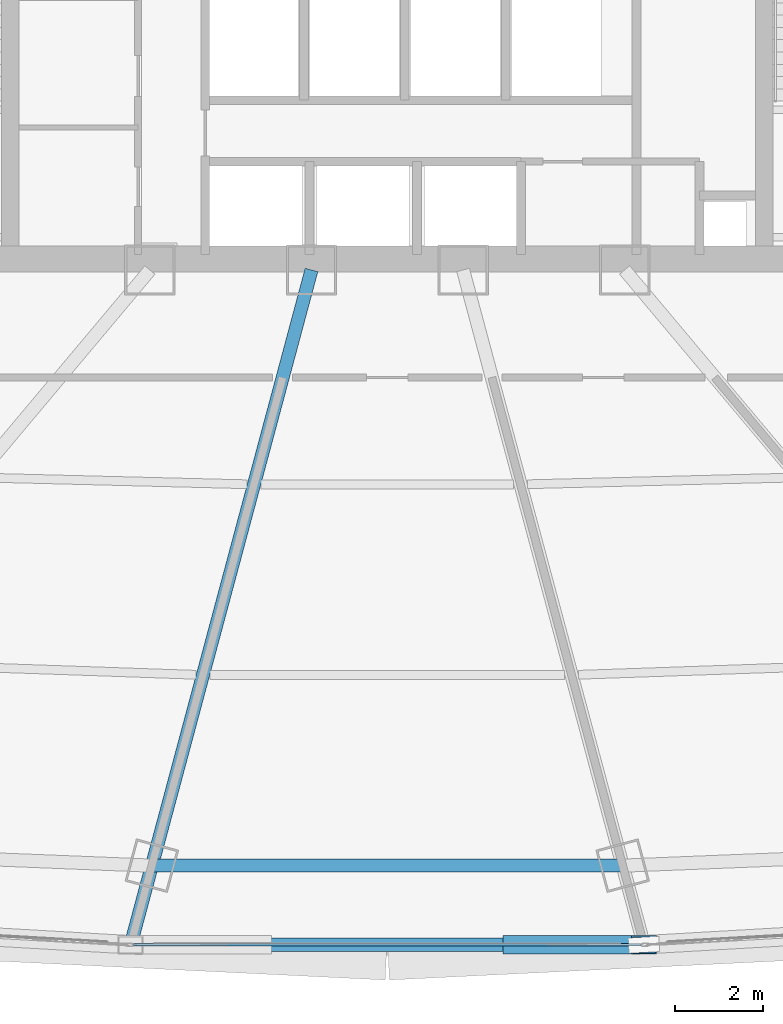
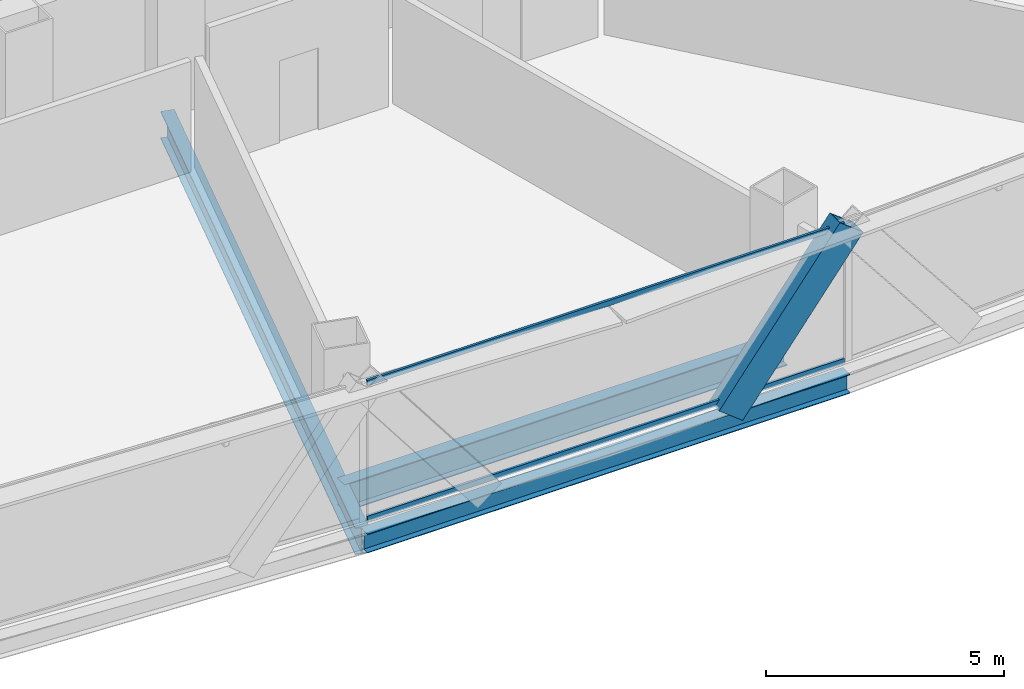
# One storey, part 9 of 39: 3 beams, 3 members, 1 element without a shape of its own.
"""IFC4 building model written with IfcOpenShell, lengths in metres."""

from ifc_helpers import new_model, si_unit, direction, frame, origin, origin_2d, place, context, subcontext, project, spatial, hollow_rectangle, i_section, extrude, source, transform, mapped, material, layer, layer_set, material_profile, profile_set, type_object, element, aggregate, save


model = new_model("IFC4")

# Units and contexts
model_context = context("Model", 3, precision=1e-05, world=origin(), true_north=direction((0.0, 1.0)))
body_context = subcontext(model_context, "Body", "Model", "MODEL_VIEW")
ifc_project = project(units=[si_unit("LENGTHUNIT", "METRE"), si_unit("AREAUNIT", "SQUARE_METRE"), si_unit("VOLUMEUNIT", "CUBIC_METRE"), si_unit("PLANEANGLEUNIT", "RADIAN"), si_unit("MASSUNIT", "GRAM", prefix="KILO"), si_unit("THERMODYNAMICTEMPERATUREUNIT", "KELVIN"), si_unit("POWERUNIT", "WATT")], contexts=[model_context])

# Site, building, storey
site_placement = place(None, origin())
site = spatial("IfcSite", under=ifc_project, at=site_placement, CompositionType="ELEMENT")
building_placement = place(site_placement, origin())
building = spatial("IfcBuilding", under=site, at=building_placement, Name="Yunzhuo Pagoda Commons", CompositionType="ELEMENT")
storey_placement = place(building_placement, frame((0.0, 0.0, 92.580078125)))
storey = spatial("IfcBuildingStorey", under=building, at=storey_placement, Name="L23", CompositionType="ELEMENT", Elevation=92.580078125)

# Beams
ifc_material_1 = material(Name="Structural steel Q355B", Category="steel")
ifc_material_profile_1 = material_profile(ifc_material_1, i_section(OverallWidth=0.300048828125, OverallDepth=0.699951171875, WebThickness=0.012939453125, FlangeThickness=0.02392578125, at=origin_2d()), Name="Structural steel Q355B")
ifc_profile_set_1 = profile_set([ifc_material_profile_1], Name="Structural steel Q355B")
beam_type_1 = type_object("IfcBeamType", Name="B-RG1 Beam HN 700x300x13x24", PredefinedType="BEAM", material=ifc_profile_set_1)
shared_shape_1 = source(origin(), body_context, "Body", "SweptSolid", [
    extrude(i_section(OverallWidth=0.300048828125, OverallDepth=0.699951171875, WebThickness=0.012939453125, FlangeThickness=0.02392578125, at=origin_2d()), origin(), (0.0, 0.0, 1.0), 10.73486328125),
])
beam_1_placement = place(storey_placement, frame((42.632568359375, 13.66845703125, -0.610107421875), z_axis=(1.0, 0.0, 0.0), x_axis=(0.0, 1.0, 0.0)))
element("IfcBeam", 1, at=beam_1_placement, inside=storey, type_object=beam_type_1, Name="L23 column-ring beam 2", PredefinedType="BEAM", context=body_context, shape_type="MappedRepresentation", body=[
    mapped(shared_shape_1, transform((0.0, 0.0, 0.0), scale=1.0)),
])
shared_shape_2 = source(origin(), body_context, "Body", "SweptSolid", [
    extrude(i_section(OverallWidth=0.300048828125, OverallDepth=0.699951171875, WebThickness=0.012939453125, FlangeThickness=0.02392578125, at=origin_2d()), origin(), (0.0, 0.0, 1.0), 15.773681640625),
])
beam_2_placement = place(storey_placement, frame((42.189208984375, 12.013916015625, -0.610107421875), z_axis=(0.258834854281, 0.965921590094, 0.0), x_axis=(-0.965921590094, 0.258834854281, 0.0)))
element("IfcBeam", 2, at=beam_2_placement, inside=storey, type_object=beam_type_1, Name="L23 radial floor girder F1C2", PredefinedType="BEAM", context=body_context, shape_type="MappedRepresentation", body=[
    mapped(shared_shape_2, transform((0.0, 0.0, 0.0), scale=1.0)),
])
ifc_material_profile_2 = material_profile(ifc_material_1, i_section(OverallWidth=0.300048828125, OverallDepth=0.488037109375, WebThickness=0.010986328125, FlangeThickness=0.01806640625, at=origin_2d()), Name="Structural steel Q355B")
ifc_profile_set_2 = profile_set([ifc_material_profile_2], Name="Structural steel Q355B")
beam_type_2 = type_object("IfcBeamType", Name="B-SP1 Beam HM 488x300x11x18", PredefinedType="BEAM", material=ifc_profile_set_2)
shared_shape_3 = source(origin(), body_context, "Body", "SweptSolid", [
    extrude(i_section(OverallWidth=0.300048828125, OverallDepth=0.488037109375, WebThickness=0.010986328125, FlangeThickness=0.01806640625, at=origin_2d()), origin(), (0.0, 0.0, 1.0), 11.70166015625),
])
beam_3_placement = place(storey_placement, frame((42.149169921875, 11.8642578125, -0.504150390625), z_axis=(1.0, 0.0, 0.0), x_axis=(0.0, 1.0, 0.0)))
element("IfcBeam", 3, at=beam_3_placement, inside=storey, type_object=beam_type_2, Name="L23 facade edge spandrel beam F1.2", PredefinedType="BEAM", context=body_context, shape_type="MappedRepresentation", body=[
    mapped(shared_shape_3, transform((0.0, 0.0, 0.0), scale=1.0)),
])

# Member
ifc_material_2 = material(Name="Structural steel Q420B", Category="steel")
ifc_material_profile_3 = material_profile(ifc_material_2, hollow_rectangle(XDim=0.419921875, YDim=0.719970703125, WallThickness=0.028076171875, at=origin_2d()), Name="Structural steel Q420B")
ifc_profile_set_3 = profile_set([ifc_material_profile_3], Name="Structural steel Q420B")
member_type_1 = type_object("IfcMemberType", Name="M-DL1 Brace BOX 720x420x28", PredefinedType="BRACE", material=ifc_profile_set_3)
shared_shape_4 = source(origin(), body_context, "Body", "SweptSolid", [
    extrude(hollow_rectangle(XDim=0.419921875, YDim=0.719970703125, WallThickness=0.028076171875, at=origin_2d()), origin(), (0.0, 0.0, 1.0), 4.795654296875),
])
member_1_placement = place(storey_placement, frame((50.92529296875, 11.8642578125, -0.260009765625), z_axis=(0.610028081374, 0.0, 0.792379795259), x_axis=(0.0, 1.0, 0.0)))
element("IfcMember", 4, at=member_1_placement, inside=storey, type_object=member_type_1, Name="L23 facade diamond brace F1.2R", PredefinedType="BRACE", context=body_context, shape_type="MappedRepresentation", body=[
    mapped(shared_shape_4, transform((0.0, 0.0, 0.0), scale=1.0)),
])

# Curtain wall, members
ifc_material_3 = material(Name="Anodized aluminium 6063-T6", Category="aluminium")
ifc_layer = layer(ifc_material_3, 0.1650390625)
ifc_layer_set = layer_set([ifc_layer], Name="Anodized aluminium 6063-T6")
curtain_wall_type = type_object("IfcCurtainWallType", Name="CW-LOW Low-Zone Ribbon Curtain Wall", PredefinedType="NOTDEFINED", material=ifc_layer_set)
curtain_wall_placement = place(storey_placement, origin())
curtain_wall = element("IfcCurtainWall", 5, at=curtain_wall_placement, inside=storey, type_object=curtain_wall_type, Name="L23 curtain wall CW-L23-F1B3", PredefinedType="NOTDEFINED")
ifc_material_profile_4 = material_profile(ifc_material_3, hollow_rectangle(XDim=0.06005859375, YDim=0.139892578125, WallThickness=0.00341796875, at=origin_2d()), Name="Anodized aluminium 6063-T6")
ifc_profile_set_4 = profile_set([ifc_material_profile_4], Name="Anodized aluminium 6063-T6")
member_type_2 = type_object("IfcMemberType", Name="CW-LOW-T Transom RHS 140x60x3.5", PredefinedType="USERDEFINED", material=ifc_profile_set_4)
shared_shape_5 = source(origin(), body_context, "Body", "SweptSolid", [
    extrude(hollow_rectangle(XDim=0.06005859375, YDim=0.139892578125, WallThickness=0.00341796875, at=origin_2d()), origin(), (0.0, 0.0, 1.0), 11.57177734375),
])
member_2_placement = place(storey_placement, frame((42.214111328125, 11.8642578125, 0.030029296875), z_axis=(1.0, 0.0, 0.0), x_axis=(0.0, 1.0, 0.0)))
member_2 = element("IfcMember", 6, at=member_2_placement, type_object=member_type_2, Name="CW transom 1.1", ObjectType="TRANSOM", PredefinedType="USERDEFINED", context=body_context, shape_type="MappedRepresentation", body=[
    mapped(shared_shape_5, transform((0.0, 0.0, 0.0), scale=1.0)),
])
member_3_placement = place(storey_placement, frame((42.214111328125, 11.8642578125, 3.510009765625), z_axis=(1.0, 0.0, 0.0), x_axis=(0.0, 1.0, 0.0)))
member_3 = element("IfcMember", 7, at=member_3_placement, type_object=member_type_2, Name="CW transom 1.2", ObjectType="TRANSOM", PredefinedType="USERDEFINED", context=body_context, shape_type="MappedRepresentation", body=[
    mapped(shared_shape_5, transform((0.0, 0.0, 0.0), scale=1.0)),
])
aggregate(curtain_wall, [member_2, member_3])

save(model, "model.ifc")
